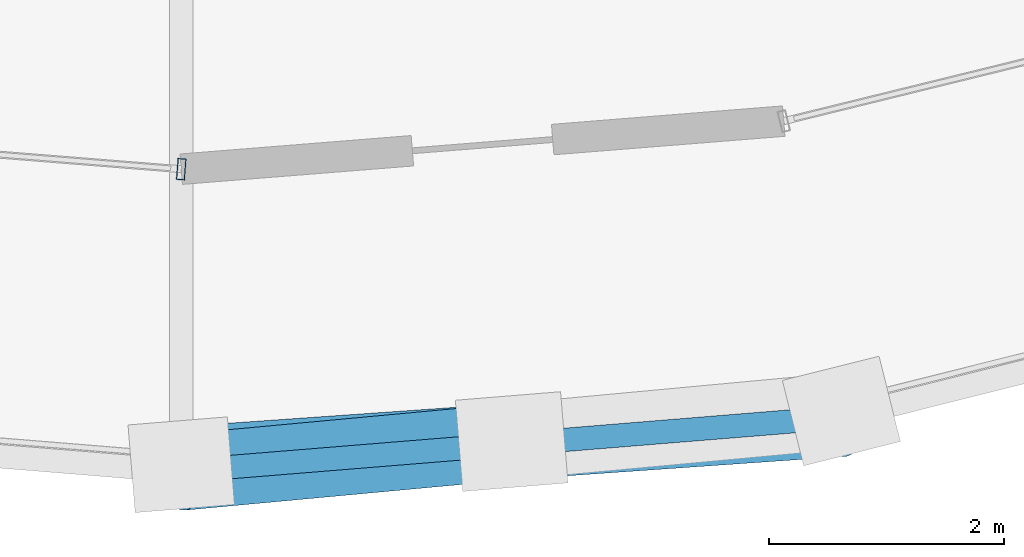
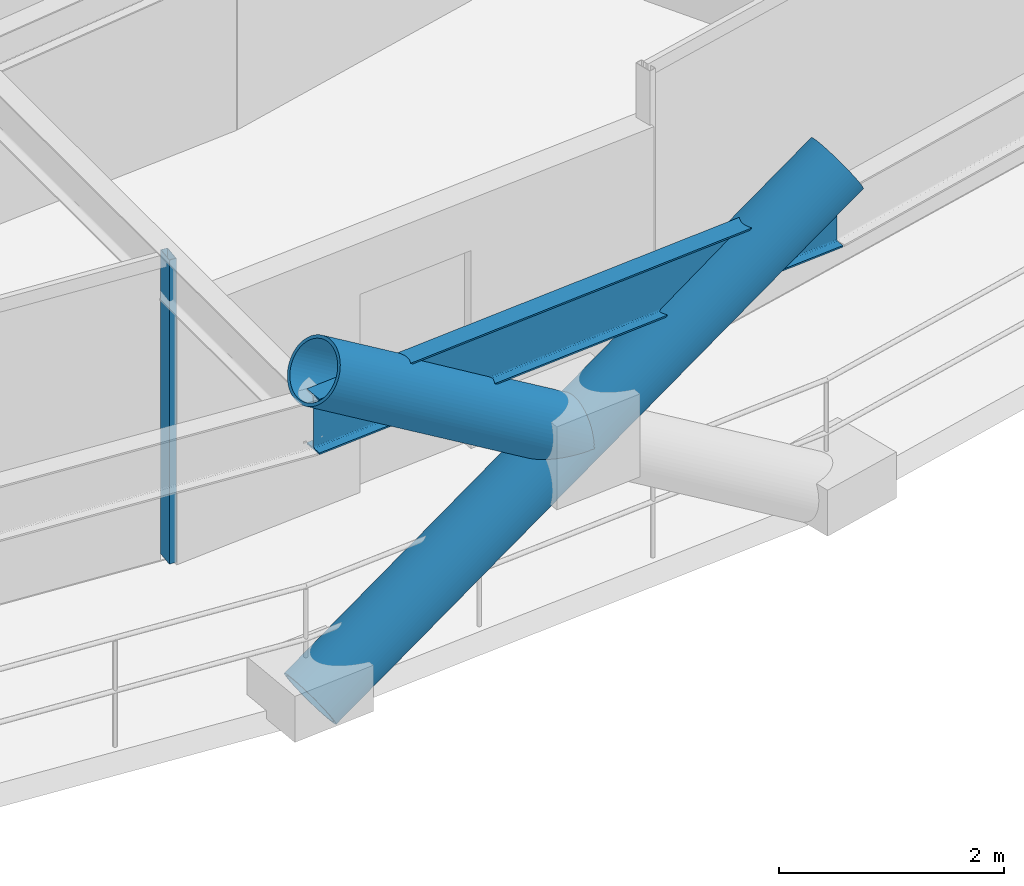
# One storey, part 5 of 21: 3 members, 1 beam, 1 element without a shape of its own.
"""IFC4 building model written with IfcOpenShell, lengths in metres."""

from ifc_helpers import new_model, si_unit, direction, frame, origin, origin_2d, place, context, subcontext, project, spatial, hollow_rectangle, hollow_circle, i_section, extrude, material, layer, layer_set, material_profile, profile_set, type_object, element, aggregate, save


model = new_model("IFC4")

# Units and contexts
model_context = context("Model", 3, precision=1e-05, world=origin(), true_north=direction((0.0, 1.0)))
body_context = subcontext(model_context, "Body", "Model", "MODEL_VIEW")
ifc_project = project(units=[si_unit("LENGTHUNIT", "METRE"), si_unit("AREAUNIT", "SQUARE_METRE"), si_unit("VOLUMEUNIT", "CUBIC_METRE"), si_unit("PLANEANGLEUNIT", "RADIAN"), si_unit("MASSUNIT", "GRAM", prefix="KILO")], contexts=[model_context])

# Site, building, storey
site_placement = place(None, origin())
site = spatial("IfcSite", under=ifc_project, at=site_placement, CompositionType="ELEMENT")
building_placement = place(site_placement, origin())
building = spatial("IfcBuilding", under=site, at=building_placement, Name="Veldorina Hangang Commons", CompositionType="ELEMENT")
storey_placement = place(building_placement, frame((0.0, 0.0, 66.39990234375)))
storey = spatial("IfcBuildingStorey", under=building, at=storey_placement, Name="L16", CompositionType="ELEMENT", Elevation=66.39990234375)

# Beam
ifc_material_1 = material(Name="Steel SM420-TMC", Category="steel")
ifc_material_profile_1 = material_profile(ifc_material_1, i_section(OverallWidth=0.199951171875, OverallDepth=0.60009765625, WebThickness=0.010986328125, FlangeThickness=0.01708984375, FilletRadius=0.01806640625, at=origin_2d()), Name="H-600x200x11x17")
ifc_profile_set_1 = profile_set([ifc_material_profile_1], Name="Steel SM420-TMC")
beam_type = type_object("IfcBeamType", Name="BM-RB600", PredefinedType="BEAM", material=ifc_profile_set_1)
beam_placement = place(storey_placement, frame((32.0, 0.09423828125, 3.0400390625), z_axis=(0.996700521697, 0.081166927063, 0.0), x_axis=(-0.081166927063, 0.996700521697, 0.0)))
element("IfcBeam", 1, at=beam_placement, inside=storey, type_object=beam_type, Name="L16 perimeter hoop ring beam 24", PredefinedType="BEAM", context=body_context, shape_type="SweptSolid", body=[
    extrude(i_section(OverallWidth=0.199951171875, OverallDepth=0.60009765625, WebThickness=0.010986328125, FlangeThickness=0.01708984375, FilletRadius=0.01806640625, at=origin_2d()), origin(), (0.0, 0.0, 1.0), 5.65771484375),
])

# Curtain wall, member
ifc_material_2 = material(Name="Glass Low-E Triple IGU", Category="glass")
ifc_layer = layer(ifc_material_2, 0.179931640625)
ifc_layer_set = layer_set([ifc_layer], Name="Glass Low-E Triple IGU")
curtain_wall_type = type_object("IfcCurtainWallType", Name="CW-SYS-Z1", PredefinedType="NOTDEFINED", material=ifc_layer_set)
curtain_wall_placement = place(storey_placement, origin())
curtain_wall = element("IfcCurtainWall", 2, at=curtain_wall_placement, inside=storey, type_object=curtain_wall_type, Name="L16 unitised curtain wall CW-L16-R1", PredefinedType="NOTDEFINED")
ifc_material_3 = material(Name="Aluminium Anodized AA6063-T6", Category="aluminium")
ifc_material_profile_2 = material_profile(ifc_material_3, hollow_rectangle(XDim=0.070068359375, YDim=0.179931640625, WallThickness=0.00390625, at=origin_2d()), Name="ALU-RHS-180x70x4")
ifc_profile_set_2 = profile_set([ifc_material_profile_2], Name="Aluminium Anodized AA6063-T6")
member_type_1 = type_object("IfcMemberType", Name="CW-MUL-180", PredefinedType="MULLION", material=ifc_profile_set_2)
member_1_placement = place(storey_placement, frame((32.0, 2.66845703125, 0.0), z_axis=(0.0, 0.0, 1.0), x_axis=(-0.996831849168, 0.079537817952, 0.0)))
member_1 = element("IfcMember", 3, at=member_1_placement, type_object=member_type_1, Name="CW-L16-R1 vertical mullion 5", PredefinedType="MULLION", context=body_context, shape_type="SweptSolid", body=[
    extrude(hollow_rectangle(XDim=0.070068359375, YDim=0.179931640625, WallThickness=0.00390625, at=origin_2d()), origin(), (0.0, 0.0, 1.0), 3.300048828125),
])
aggregate(curtain_wall, [member_1])

# Members
ifc_material_4 = material(Name="Steel SM460-TMC", Category="steel")
ifc_material_profile_3 = material_profile(ifc_material_4, hollow_circle(Radius=0.324951171875, WallThickness=0.031982421875, at=origin_2d()), Name="CHS-650x32")
ifc_profile_set_3 = profile_set([ifc_material_profile_3], Name="Steel SM460-TMC")
member_type_2 = type_object("IfcMemberType", Name="DG-CHS650", PredefinedType="BRACE", material=ifc_profile_set_3)
member_2_placement = place(storey_placement, frame((32.0, 0.1484375, 0.0), z_axis=(0.841497165146, 0.058962343563, 0.537034415184), x_axis=(-0.069897008186, 0.997554213187, 0.0)))
element("IfcMember", 4, at=member_2_placement, inside=storey, type_object=member_type_2, Name="L16 continuous perimeter diagrid brace 24", PredefinedType="BRACE", context=body_context, shape_type="SweptSolid", body=[
    extrude(hollow_circle(Radius=0.324951171875, WallThickness=0.031982421875, at=origin_2d()), origin(), (0.0, 0.0, 1.0), 6.70361328125),
])
member_3_placement = place(storey_placement, frame((34.8173828125, 0.345947265625, 1.798095703125), z_axis=(-0.83985609263, -0.078017827669, 0.537173121291), x_axis=(0.092496047775, -0.99571305161, 0.0)))
element("IfcMember", 5, at=member_3_placement, inside=storey, type_object=member_type_2, Name="L16 split perimeter diagrid upper brace 25", PredefinedType="BRACE", context=body_context, shape_type="SweptSolid", body=[
    extrude(hollow_circle(Radius=0.324951171875, WallThickness=0.031982421875, at=origin_2d()), origin(), (0.0, 0.0, 1.0), 3.3544921875),
])

save(model, "model.ifc")
